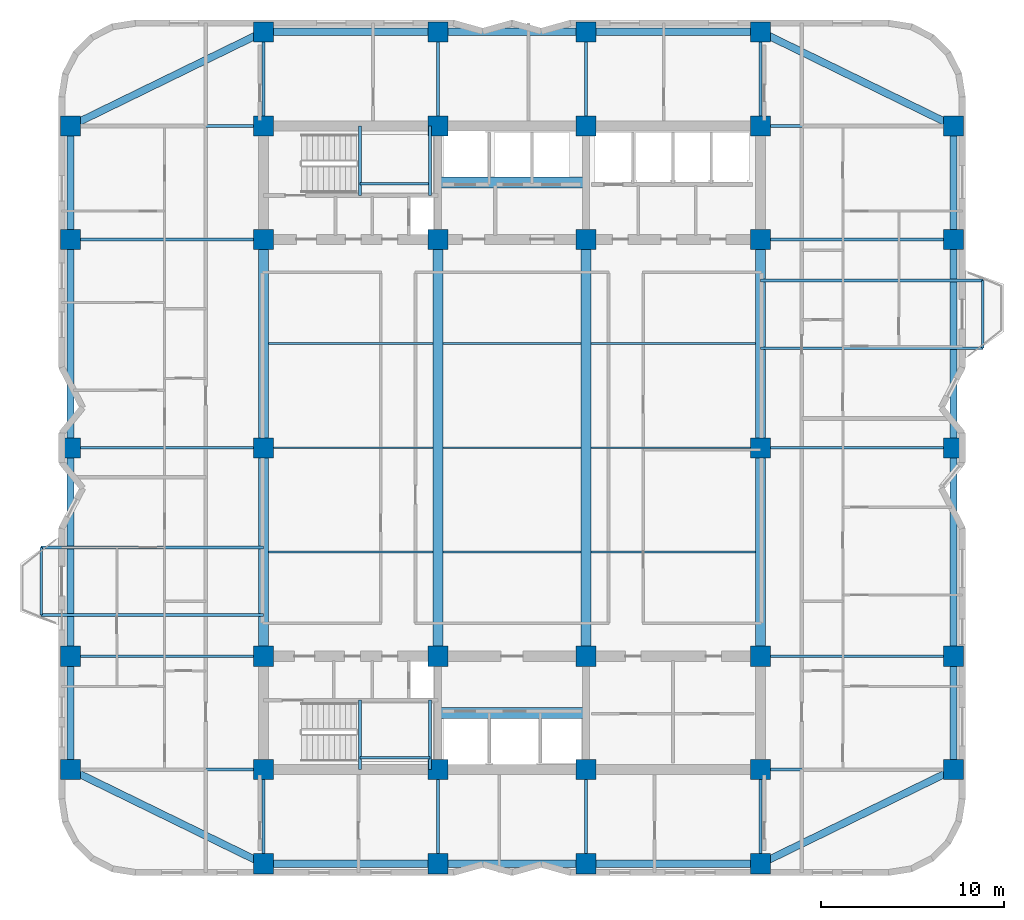
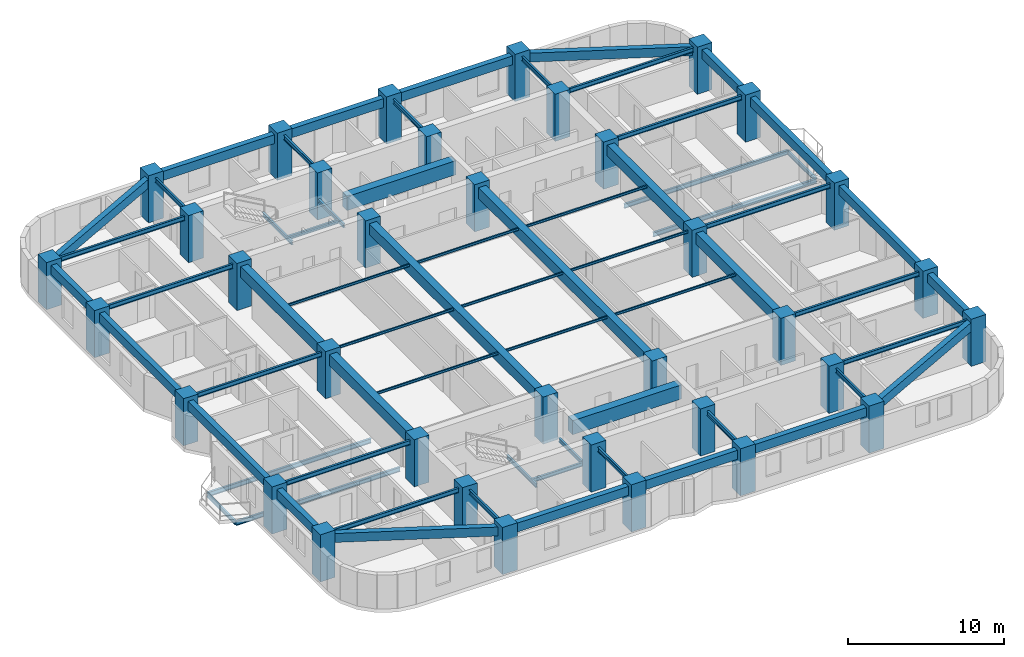
# One storey, part 1 of 10: 65 beams, 36 columns.
"""IFC4 building model written with IfcOpenShell, lengths in metres."""

from ifc_helpers import new_model, si_unit, direction, frame, origin, origin_2d, place, context, subcontext, project, spatial, rectangle, i_section, extrude, material, material_profile, profile_set, type_object, element, save


model = new_model("IFC4")

# Units and contexts
model_context = context("Model", 3, precision=1e-05, world=origin(), true_north=direction((0.0, 1.0)))
body_context = subcontext(model_context, "Body", "Model", "MODEL_VIEW")
ifc_project = project(units=[si_unit("LENGTHUNIT", "METRE"), si_unit("AREAUNIT", "SQUARE_METRE"), si_unit("VOLUMEUNIT", "CUBIC_METRE"), si_unit("PLANEANGLEUNIT", "RADIAN"), si_unit("MASSUNIT", "GRAM", prefix="KILO")], contexts=[model_context])

# Site, building, storey
site_placement = place(None, origin())
site = spatial("IfcSite", under=ifc_project, at=site_placement, CompositionType="ELEMENT")
building_placement = place(site_placement, origin())
building = spatial("IfcBuilding", under=site, at=building_placement, Name="Svetorya Sky Lyceum", CompositionType="ELEMENT")
storey_placement = place(building_placement, frame((0.0, 0.0, 132.699951171875)))
storey = spatial("IfcBuildingStorey", under=building, at=storey_placement, Name="L33", CompositionType="ELEMENT", Elevation=132.699951171875)

# Columns
ifc_material_1 = material(Name="Concrete C50/60", Category="concrete")
ifc_material_profile_1 = material_profile(ifc_material_1, rectangle(XDim=1.10009765625, YDim=1.10009765625, at=origin_2d()), Name="RC COL 1100x1100")
ifc_profile_set_1 = profile_set([ifc_material_profile_1], Name="Concrete C50/60")
column_type = type_object("IfcColumnType", Name="COL-RC-1100", PredefinedType="COLUMN", material=ifc_profile_set_1)
for number, where, z_axis, x_axis, name in (
    (1, (25.60009765625, 10.60009765625, 0.0), (0.0, 0.0, 1.0), (1.0, 0.0, 0.0), "L33 Core Column CS-11"),
    (2, (25.60009765625, 16.800048828125, 0.0), (0.0, 0.0, 1.0), (1.0, 0.0, 0.0), "L33 Core Column CS-12"),
    (3, (35.14990234375, 10.60009765625, 0.0), (0.0, 0.0, 1.0), (1.0, 0.0, 0.0), "L33 Core Column CS-21"),
    (4, (35.14990234375, 16.800048828125, 0.0), (0.0, 0.0, 1.0), (1.0, 0.0, 0.0), "L33 Core Column CS-22"),
    (5, (43.25, 10.60009765625, 0.0), (0.0, 0.0, 1.0), (1.0, 0.0, 0.0), "L33 Core Column CS-31"),
    (6, (43.25, 16.800048828125, 0.0), (0.0, 0.0, 1.0), (1.0, 0.0, 0.0), "L33 Core Column CS-32"),
    (7, (52.800048828125, 10.60009765625, 0.0), (0.0, 0.0, 1.0), (1.0, 0.0, 0.0), "L33 Core Column CS-41"),
    (8, (52.800048828125, 16.800048828125, 0.0), (0.0, 0.0, 1.0), (1.0, 0.0, 0.0), "L33 Core Column CS-42"),
    (9, (25.60009765625, 39.60009765625, 0.0), (0.0, 0.0, 1.0), (1.0, 0.0, 0.0), "L33 Core Column CN-11"),
    (10, (25.60009765625, 45.800048828125, 0.0), (0.0, 0.0, 1.0), (1.0, 0.0, 0.0), "L33 Core Column CN-12"),
    (11, (35.14990234375, 39.60009765625, 0.0), (0.0, 0.0, 1.0), (1.0, 0.0, 0.0), "L33 Core Column CN-21"),
    (12, (35.14990234375, 45.800048828125, 0.0), (0.0, 0.0, 1.0), (1.0, 0.0, 0.0), "L33 Core Column CN-22"),
    (13, (43.25, 39.60009765625, 0.0), (0.0, 0.0, 1.0), (1.0, 0.0, 0.0), "L33 Core Column CN-31"),
    (14, (43.25, 45.800048828125, 0.0), (0.0, 0.0, 1.0), (1.0, 0.0, 0.0), "L33 Core Column CN-32"),
    (15, (52.800048828125, 39.60009765625, 0.0), (0.0, 0.0, 1.0), (1.0, 0.0, 0.0), "L33 Core Column CN-41"),
    (16, (52.800048828125, 45.800048828125, 0.0), (0.0, 0.0, 1.0), (1.0, 0.0, 0.0), "L33 Core Column CN-42"),
    (17, (25.60009765625, 28.199951171875, 0.0), (0.0, 0.0, 1.0), (1.0, 0.0, 0.0), "L33 Core Column CM-W"),
    (18, (52.800048828125, 28.199951171875, 0.0), (0.0, 0.0, 1.0), (1.0, 0.0, 0.0), "L33 Core Column CM-E"),
    (19, (25.60009765625, 5.449951171875, 0.0), (0.0, 0.0, 1.0), (1.0, 0.0, 0.0), "L33 Perimeter Column S1"),
    (20, (25.60009765625, 50.949951171875, 0.0), (0.0, 0.0, 1.0), (1.0, 0.0, 0.0), "L33 Perimeter Column N1"),
    (21, (35.14990234375, 5.449951171875, 0.0), (0.0, 0.0, 1.0), (1.0, 0.0, 0.0), "L33 Perimeter Column S2"),
    (22, (35.14990234375, 50.949951171875, 0.0), (0.0, 0.0, 1.0), (1.0, 0.0, 0.0), "L33 Perimeter Column N2"),
    (23, (43.25, 5.449951171875, 0.0), (0.0, 0.0, 1.0), (1.0, 0.0, 0.0), "L33 Perimeter Column S3"),
    (24, (43.25, 50.949951171875, 0.0), (0.0, 0.0, 1.0), (1.0, 0.0, 0.0), "L33 Perimeter Column N3"),
    (25, (52.800048828125, 5.449951171875, 0.0), (0.0, 0.0, 1.0), (1.0, 0.0, 0.0), "L33 Perimeter Column S4"),
    (26, (52.800048828125, 50.949951171875, 0.0), (0.0, 0.0, 1.0), (1.0, 0.0, 0.0), "L33 Perimeter Column N4"),
    (27, (15.050048828125, 10.60009765625, 0.0), (0.0, 0.0, 1.0), (1.0, 0.0, 0.0), "L33 Perimeter Column W1"),
    (28, (63.35009765625, 10.60009765625, 0.0), (0.0, 0.0, 1.0), (1.0, 0.0, 0.0), "L33 Perimeter Column E1"),
    (29, (15.050048828125, 16.800048828125, 0.0), (0.0, 0.0, 1.0), (1.0, 0.0, 0.0), "L33 Perimeter Column W2"),
    (30, (63.35009765625, 16.800048828125, 0.0), (0.0, 0.0, 1.0), (1.0, 0.0, 0.0), "L33 Perimeter Column E2"),
    (31, (15.050048828125, 28.199951171875, 0.0), (0.0, 0.0, 1.0), (1.0, 0.0, 0.0), "L33 Perimeter Column W3"),
    (32, (63.35009765625, 28.199951171875, 0.0), (0.0, 0.0, 1.0), (1.0, 0.0, 0.0), "L33 Perimeter Column E3"),
    (33, (15.050048828125, 39.60009765625, 0.0), (0.0, 0.0, 1.0), (1.0, 0.0, 0.0), "L33 Perimeter Column W4"),
    (34, (63.35009765625, 39.60009765625, 0.0), (0.0, 0.0, 1.0), (1.0, 0.0, 0.0), "L33 Perimeter Column E4"),
    (35, (15.050048828125, 45.800048828125, 0.0), (0.0, 0.0, 1.0), (1.0, 0.0, 0.0), "L33 Perimeter Column W5"),
    (36, (63.35009765625, 45.800048828125, 0.0), (0.0, 0.0, 1.0), (1.0, 0.0, 0.0), "L33 Perimeter Column E5"),
):
    element("IfcColumn", number, at=place(storey_placement, frame(where, z_axis=z_axis, x_axis=x_axis)), inside=storey, type_object=column_type, Name=name, PredefinedType="COLUMN", context=body_context, shape_type="SweptSolid", body=[
        extrude(rectangle(XDim=1.10009765625, YDim=1.10009765625, at=origin_2d()), origin(), (0.0, 0.0, 1.0), 3.699951171875),
    ])

# Beams
ifc_material_2 = material(Name="Concrete C60/75", Category="concrete")
ifc_material_profile_2 = material_profile(ifc_material_2, rectangle(XDim=0.60009765625, YDim=1.10009765625, at=origin_2d()), Name="RC COUPLING 600x1100")
ifc_profile_set_2 = profile_set([ifc_material_profile_2], Name="Concrete C60/75")
beam_type_1 = type_object("IfcBeamType", Name="BM-CPL-1100", PredefinedType="LINTEL", material=ifc_profile_set_2)
for number, where, z_axis, x_axis, name in (
    (37, (35.14990234375, 13.699951171875, 2.830078125), (1.0, 0.0, 0.0), (0.0, 1.0, 0.0), "L33 SC Core Coupling Beam"),
    (38, (35.14990234375, 42.699951171875, 2.830078125), (1.0, 0.0, 0.0), (0.0, 1.0, 0.0), "L33 NC Core Coupling Beam"),
):
    element("IfcBeam", number, at=place(storey_placement, frame(where, z_axis=z_axis, x_axis=x_axis)), inside=storey, type_object=beam_type_1, Name=name, PredefinedType="LINTEL", context=body_context, shape_type="SweptSolid", body=[
        extrude(rectangle(XDim=0.60009765625, YDim=1.10009765625, at=origin_2d()), origin(), (0.0, 0.0, 1.0), 8.10009765625),
    ])
ifc_material_profile_3 = material_profile(ifc_material_1, rectangle(XDim=0.550048828125, YDim=0.85009765625, at=origin_2d()), Name="RC BEAM 550x850")
ifc_profile_set_3 = profile_set([ifc_material_profile_3], Name="Concrete C50/60")
beam_type_2 = type_object("IfcBeamType", Name="BM-RC-850", PredefinedType="BEAM", material=ifc_profile_set_3)
beam_1_placement = place(storey_placement, frame((25.60009765625, 16.800048828125, 2.955078125), z_axis=(0.0, 1.0, 0.0), x_axis=(-1.0, 0.0, 0.0)))
element("IfcBeam", 39, at=beam_1_placement, inside=storey, type_object=beam_type_2, Name="L33 Central Bay Primary Girder CG-1A", PredefinedType="BEAM", context=body_context, shape_type="SweptSolid", body=[
    extrude(rectangle(XDim=0.550048828125, YDim=0.85009765625, at=origin_2d()), origin(), (0.0, 0.0, 1.0), 11.39990234375),
])
beam_2_placement = place(storey_placement, frame((25.60009765625, 28.199951171875, 2.955078125), z_axis=(0.0, 1.0, 0.0), x_axis=(-1.0, 0.0, 0.0)))
element("IfcBeam", 40, at=beam_2_placement, inside=storey, type_object=beam_type_2, Name="L33 Central Bay Primary Girder CG-1B", PredefinedType="BEAM", context=body_context, shape_type="SweptSolid", body=[
    extrude(rectangle(XDim=0.550048828125, YDim=0.85009765625, at=origin_2d()), origin(), (0.0, 0.0, 1.0), 11.400146484375),
])
for number, where, z_axis, x_axis, name in (
    (41, (35.14990234375, 16.800048828125, 2.955078125), (0.0, 1.0, 0.0), (-1.0, 0.0, 0.0), "L33 Central Bay Primary Girder CG-2"),
    (42, (43.25, 16.800048828125, 2.955078125), (0.0, 1.0, 0.0), (-1.0, 0.0, 0.0), "L33 Central Bay Primary Girder CG-3"),
):
    element("IfcBeam", number, at=place(storey_placement, frame(where, z_axis=z_axis, x_axis=x_axis)), inside=storey, type_object=beam_type_2, Name=name, PredefinedType="BEAM", context=body_context, shape_type="SweptSolid", body=[
        extrude(rectangle(XDim=0.550048828125, YDim=0.85009765625, at=origin_2d()), origin(), (0.0, 0.0, 1.0), 22.800048828125),
    ])
beam_3_placement = place(storey_placement, frame((52.800048828125, 16.800048828125, 2.955078125), z_axis=(0.0, 1.0, 0.0), x_axis=(-1.0, 0.0, 0.0)))
element("IfcBeam", 43, at=beam_3_placement, inside=storey, type_object=beam_type_2, Name="L33 Central Bay Primary Girder CG-4A", PredefinedType="BEAM", context=body_context, shape_type="SweptSolid", body=[
    extrude(rectangle(XDim=0.550048828125, YDim=0.85009765625, at=origin_2d()), origin(), (0.0, 0.0, 1.0), 11.39990234375),
])
beam_4_placement = place(storey_placement, frame((52.800048828125, 28.199951171875, 2.955078125), z_axis=(0.0, 1.0, 0.0), x_axis=(-1.0, 0.0, 0.0)))
element("IfcBeam", 44, at=beam_4_placement, inside=storey, type_object=beam_type_2, Name="L33 Central Bay Primary Girder CG-4B", PredefinedType="BEAM", context=body_context, shape_type="SweptSolid", body=[
    extrude(rectangle(XDim=0.550048828125, YDim=0.85009765625, at=origin_2d()), origin(), (0.0, 0.0, 1.0), 11.400146484375),
])
ifc_material_profile_4 = material_profile(ifc_material_1, rectangle(XDim=0.39990234375, YDim=0.699951171875, at=origin_2d()), Name="RC SPANDREL 400x700")
ifc_profile_set_4 = profile_set([ifc_material_profile_4], Name="Concrete C50/60")
beam_type_3 = type_object("IfcBeamType", Name="BM-SPN-700", PredefinedType="SPANDREL", material=ifc_profile_set_4)
beam_5_placement = place(storey_placement, frame((25.60009765625, 5.449951171875, 3.030029296875), z_axis=(1.0, 0.0, 0.0), x_axis=(0.0, 1.0, 0.0)))
element("IfcBeam", 45, at=beam_5_placement, inside=storey, type_object=beam_type_3, Name="L33 South Spandrel 1", PredefinedType="SPANDREL", context=body_context, shape_type="SweptSolid", body=[
    extrude(rectangle(XDim=0.39990234375, YDim=0.699951171875, at=origin_2d()), origin(), (0.0, 0.0, 1.0), 9.5498046875),
])
beam_6_placement = place(storey_placement, frame((35.14990234375, 5.449951171875, 3.030029296875), z_axis=(1.0, 0.0, 0.0), x_axis=(0.0, 1.0, 0.0)))
element("IfcBeam", 46, at=beam_6_placement, inside=storey, type_object=beam_type_3, Name="L33 South Spandrel 2", PredefinedType="SPANDREL", context=body_context, shape_type="SweptSolid", body=[
    extrude(rectangle(XDim=0.39990234375, YDim=0.699951171875, at=origin_2d()), origin(), (0.0, 0.0, 1.0), 8.10009765625),
])
beam_7_placement = place(storey_placement, frame((43.25, 5.449951171875, 3.030029296875), z_axis=(1.0, 0.0, 0.0), x_axis=(0.0, 1.0, 0.0)))
element("IfcBeam", 47, at=beam_7_placement, inside=storey, type_object=beam_type_3, Name="L33 South Spandrel 3", PredefinedType="SPANDREL", context=body_context, shape_type="SweptSolid", body=[
    extrude(rectangle(XDim=0.39990234375, YDim=0.699951171875, at=origin_2d()), origin(), (0.0, 0.0, 1.0), 9.550048828125),
])
beam_8_placement = place(storey_placement, frame((25.60009765625, 50.949951171875, 3.030029296875), z_axis=(1.0, 0.0, 0.0), x_axis=(0.0, 1.0, 0.0)))
element("IfcBeam", 48, at=beam_8_placement, inside=storey, type_object=beam_type_3, Name="L33 North Spandrel 1", PredefinedType="SPANDREL", context=body_context, shape_type="SweptSolid", body=[
    extrude(rectangle(XDim=0.39990234375, YDim=0.699951171875, at=origin_2d()), origin(), (0.0, 0.0, 1.0), 9.5498046875),
])
beam_9_placement = place(storey_placement, frame((35.14990234375, 50.949951171875, 3.030029296875), z_axis=(1.0, 0.0, 0.0), x_axis=(0.0, 1.0, 0.0)))
element("IfcBeam", 49, at=beam_9_placement, inside=storey, type_object=beam_type_3, Name="L33 North Spandrel 2", PredefinedType="SPANDREL", context=body_context, shape_type="SweptSolid", body=[
    extrude(rectangle(XDim=0.39990234375, YDim=0.699951171875, at=origin_2d()), origin(), (0.0, 0.0, 1.0), 8.10009765625),
])
beam_10_placement = place(storey_placement, frame((43.25, 50.949951171875, 3.030029296875), z_axis=(1.0, 0.0, 0.0), x_axis=(0.0, 1.0, 0.0)))
element("IfcBeam", 50, at=beam_10_placement, inside=storey, type_object=beam_type_3, Name="L33 North Spandrel 3", PredefinedType="SPANDREL", context=body_context, shape_type="SweptSolid", body=[
    extrude(rectangle(XDim=0.39990234375, YDim=0.699951171875, at=origin_2d()), origin(), (0.0, 0.0, 1.0), 9.550048828125),
])
for number, where, z_axis, x_axis, name in (
    (51, (25.60009765625, 5.449951171875, 3.030029296875), (-0.898641495694, 0.438683783854, 0.0), (-0.438683783854, -0.898641495694, 0.0), "L33 Corner Spandrel 1"),
    (52, (52.800048828125, 5.449951171875, 3.030029296875), (0.898641495694, 0.438683783854, 0.0), (-0.438683783854, 0.898641495694, 0.0), "L33 Corner Spandrel 2"),
    (53, (63.35009765625, 45.800048828125, 3.030029296875), (-0.898649693653, 0.438666989978, 0.0), (-0.438666989978, -0.898649693653, 0.0), "L33 Corner Spandrel 3"),
    (54, (15.050048828125, 45.800048828125, 3.030029296875), (0.898649693653, 0.438666989978, 0.0), (-0.438666989978, 0.898649693653, 0.0), "L33 Corner Spandrel 4"),
):
    element("IfcBeam", number, at=place(storey_placement, frame(where, z_axis=z_axis, x_axis=x_axis)), inside=storey, type_object=beam_type_3, Name=name, PredefinedType="SPANDREL", context=body_context, shape_type="SweptSolid", body=[
        extrude(rectangle(XDim=0.39990234375, YDim=0.699951171875, at=origin_2d()), origin(), (0.0, 0.0, 1.0), 11.739990234375),
    ])
beam_11_placement = place(storey_placement, frame((15.050048828125, 10.60009765625, 3.030029296875), z_axis=(0.0, 1.0, 0.0), x_axis=(-1.0, 0.0, 0.0)))
element("IfcBeam", 55, at=beam_11_placement, inside=storey, type_object=beam_type_3, Name="L33 West Spandrel 1", PredefinedType="SPANDREL", context=body_context, shape_type="SweptSolid", body=[
    extrude(rectangle(XDim=0.39990234375, YDim=0.699951171875, at=origin_2d()), origin(), (0.0, 0.0, 1.0), 6.199951171875),
])
beam_12_placement = place(storey_placement, frame((15.050048828125, 16.800048828125, 3.030029296875), z_axis=(0.0, 1.0, 0.0), x_axis=(-1.0, 0.0, 0.0)))
element("IfcBeam", 56, at=beam_12_placement, inside=storey, type_object=beam_type_3, Name="L33 West Spandrel 2", PredefinedType="SPANDREL", context=body_context, shape_type="SweptSolid", body=[
    extrude(rectangle(XDim=0.39990234375, YDim=0.699951171875, at=origin_2d()), origin(), (0.0, 0.0, 1.0), 11.39990234375),
])
beam_13_placement = place(storey_placement, frame((15.050048828125, 28.199951171875, 3.030029296875), z_axis=(0.0, 1.0, 0.0), x_axis=(-1.0, 0.0, 0.0)))
element("IfcBeam", 57, at=beam_13_placement, inside=storey, type_object=beam_type_3, Name="L33 West Spandrel 3", PredefinedType="SPANDREL", context=body_context, shape_type="SweptSolid", body=[
    extrude(rectangle(XDim=0.39990234375, YDim=0.699951171875, at=origin_2d()), origin(), (0.0, 0.0, 1.0), 11.400146484375),
])
for number, where, z_axis, x_axis, name in (
    (58, (15.050048828125, 39.60009765625, 3.030029296875), (0.0, 1.0, 0.0), (-1.0, 0.0, 0.0), "L33 West Spandrel 4"),
    (59, (63.35009765625, 10.60009765625, 3.030029296875), (0.0, 1.0, 0.0), (-1.0, 0.0, 0.0), "L33 East Spandrel 1"),
):
    element("IfcBeam", number, at=place(storey_placement, frame(where, z_axis=z_axis, x_axis=x_axis)), inside=storey, type_object=beam_type_3, Name=name, PredefinedType="SPANDREL", context=body_context, shape_type="SweptSolid", body=[
        extrude(rectangle(XDim=0.39990234375, YDim=0.699951171875, at=origin_2d()), origin(), (0.0, 0.0, 1.0), 6.199951171875),
    ])
beam_14_placement = place(storey_placement, frame((63.35009765625, 16.800048828125, 3.030029296875), z_axis=(0.0, 1.0, 0.0), x_axis=(-1.0, 0.0, 0.0)))
element("IfcBeam", 60, at=beam_14_placement, inside=storey, type_object=beam_type_3, Name="L33 East Spandrel 2", PredefinedType="SPANDREL", context=body_context, shape_type="SweptSolid", body=[
    extrude(rectangle(XDim=0.39990234375, YDim=0.699951171875, at=origin_2d()), origin(), (0.0, 0.0, 1.0), 11.39990234375),
])
beam_15_placement = place(storey_placement, frame((63.35009765625, 28.199951171875, 3.030029296875), z_axis=(0.0, 1.0, 0.0), x_axis=(-1.0, 0.0, 0.0)))
element("IfcBeam", 61, at=beam_15_placement, inside=storey, type_object=beam_type_3, Name="L33 East Spandrel 3", PredefinedType="SPANDREL", context=body_context, shape_type="SweptSolid", body=[
    extrude(rectangle(XDim=0.39990234375, YDim=0.699951171875, at=origin_2d()), origin(), (0.0, 0.0, 1.0), 11.400146484375),
])
beam_16_placement = place(storey_placement, frame((63.35009765625, 39.60009765625, 3.030029296875), z_axis=(0.0, 1.0, 0.0), x_axis=(-1.0, 0.0, 0.0)))
element("IfcBeam", 62, at=beam_16_placement, inside=storey, type_object=beam_type_3, Name="L33 East Spandrel 4", PredefinedType="SPANDREL", context=body_context, shape_type="SweptSolid", body=[
    extrude(rectangle(XDim=0.39990234375, YDim=0.699951171875, at=origin_2d()), origin(), (0.0, 0.0, 1.0), 6.199951171875),
])
ifc_material_3 = material(Name="Steel S355", Category="steel")
ifc_material_profile_5 = material_profile(ifc_material_3, i_section(OverallWidth=0.10009765625, OverallDepth=0.199951171875, WebThickness=0.005615234375, FlangeThickness=0.008544921875, at=origin_2d()), Name="GOST 20B1")
ifc_profile_set_5 = profile_set([ifc_material_profile_5], Name="Steel S355")
beam_type_4 = type_object("IfcBeamType", Name="BM-STL-20B1", PredefinedType="JOIST", material=ifc_profile_set_5)
beam_17_placement = place(storey_placement, frame((25.875, 22.5, 3.280029296875), z_axis=(1.0, 0.0, 0.0), x_axis=(0.0, 1.0, 0.0)))
element("IfcBeam", 63, at=beam_17_placement, inside=storey, type_object=beam_type_4, Name="L33 Central Floor Joist CJ-1.1", PredefinedType="JOIST", context=body_context, shape_type="SweptSolid", body=[
    extrude(i_section(OverallWidth=0.10009765625, OverallDepth=0.199951171875, WebThickness=0.005615234375, FlangeThickness=0.008544921875, at=origin_2d()), origin(), (0.0, 0.0, 1.0), 9.0),
])
beam_18_placement = place(storey_placement, frame((35.425048828125, 22.5, 3.280029296875), z_axis=(1.0, 0.0, 0.0), x_axis=(0.0, 1.0, 0.0)))
element("IfcBeam", 64, at=beam_18_placement, inside=storey, type_object=beam_type_4, Name="L33 Central Floor Joist CJ-1.2", PredefinedType="JOIST", context=body_context, shape_type="SweptSolid", body=[
    extrude(i_section(OverallWidth=0.10009765625, OverallDepth=0.199951171875, WebThickness=0.005615234375, FlangeThickness=0.008544921875, at=origin_2d()), origin(), (0.0, 0.0, 1.0), 7.550048828125),
])
for number, where, z_axis, x_axis, name in (
    (65, (43.52490234375, 22.5, 3.280029296875), (1.0, 0.0, 0.0), (0.0, 1.0, 0.0), "L33 Central Floor Joist CJ-1.3"),
    (66, (25.875, 28.199951171875, 3.280029296875), (1.0, 0.0, 0.0), (0.0, 1.0, 0.0), "L33 Central Floor Joist CJ-2.1"),
):
    element("IfcBeam", number, at=place(storey_placement, frame(where, z_axis=z_axis, x_axis=x_axis)), inside=storey, type_object=beam_type_4, Name=name, PredefinedType="JOIST", context=body_context, shape_type="SweptSolid", body=[
        extrude(i_section(OverallWidth=0.10009765625, OverallDepth=0.199951171875, WebThickness=0.005615234375, FlangeThickness=0.008544921875, at=origin_2d()), origin(), (0.0, 0.0, 1.0), 9.0),
    ])
beam_19_placement = place(storey_placement, frame((35.425048828125, 28.199951171875, 3.280029296875), z_axis=(1.0, 0.0, 0.0), x_axis=(0.0, 1.0, 0.0)))
element("IfcBeam", 67, at=beam_19_placement, inside=storey, type_object=beam_type_4, Name="L33 Central Floor Joist CJ-2.2", PredefinedType="JOIST", context=body_context, shape_type="SweptSolid", body=[
    extrude(i_section(OverallWidth=0.10009765625, OverallDepth=0.199951171875, WebThickness=0.005615234375, FlangeThickness=0.008544921875, at=origin_2d()), origin(), (0.0, 0.0, 1.0), 7.550048828125),
])
for number, where, z_axis, x_axis, name in (
    (68, (43.52490234375, 28.199951171875, 3.280029296875), (1.0, 0.0, 0.0), (0.0, 1.0, 0.0), "L33 Central Floor Joist CJ-2.3"),
    (69, (25.875, 33.89990234375, 3.280029296875), (1.0, 0.0, 0.0), (0.0, 1.0, 0.0), "L33 Central Floor Joist CJ-3.1"),
):
    element("IfcBeam", number, at=place(storey_placement, frame(where, z_axis=z_axis, x_axis=x_axis)), inside=storey, type_object=beam_type_4, Name=name, PredefinedType="JOIST", context=body_context, shape_type="SweptSolid", body=[
        extrude(i_section(OverallWidth=0.10009765625, OverallDepth=0.199951171875, WebThickness=0.005615234375, FlangeThickness=0.008544921875, at=origin_2d()), origin(), (0.0, 0.0, 1.0), 9.0),
    ])
beam_20_placement = place(storey_placement, frame((35.425048828125, 33.89990234375, 3.280029296875), z_axis=(1.0, 0.0, 0.0), x_axis=(0.0, 1.0, 0.0)))
element("IfcBeam", 70, at=beam_20_placement, inside=storey, type_object=beam_type_4, Name="L33 Central Floor Joist CJ-3.2", PredefinedType="JOIST", context=body_context, shape_type="SweptSolid", body=[
    extrude(i_section(OverallWidth=0.10009765625, OverallDepth=0.199951171875, WebThickness=0.005615234375, FlangeThickness=0.008544921875, at=origin_2d()), origin(), (0.0, 0.0, 1.0), 7.550048828125),
])
beam_21_placement = place(storey_placement, frame((43.52490234375, 33.89990234375, 3.280029296875), z_axis=(1.0, 0.0, 0.0), x_axis=(0.0, 1.0, 0.0)))
element("IfcBeam", 71, at=beam_21_placement, inside=storey, type_object=beam_type_4, Name="L33 Central Floor Joist CJ-3.3", PredefinedType="JOIST", context=body_context, shape_type="SweptSolid", body=[
    extrude(i_section(OverallWidth=0.10009765625, OverallDepth=0.199951171875, WebThickness=0.005615234375, FlangeThickness=0.008544921875, at=origin_2d()), origin(), (0.0, 0.0, 1.0), 9.0),
])
ifc_material_profile_6 = material_profile(ifc_material_3, i_section(OverallWidth=0.14990234375, OverallDepth=0.299072265625, WebThickness=0.006591796875, FlangeThickness=0.010498046875, at=origin_2d()), Name="GOST 30B2")
ifc_profile_set_6 = profile_set([ifc_material_profile_6], Name="Steel S355")
beam_type_5 = type_object("IfcBeamType", Name="BM-STL-30B2", PredefinedType="JOIST", material=ifc_profile_set_6)
beam_22_placement = place(storey_placement, frame((13.449951171875, 19.050048828125, -0.454345703125), z_axis=(0.0, 1.0, 0.0), x_axis=(-1.0, 0.0, 0.0)))
element("IfcBeam", 72, at=beam_22_placement, inside=storey, type_object=beam_type_5, Name="L33 Balcony Edge Tie BAL-W1", PredefinedType="JOIST", context=body_context, shape_type="SweptSolid", body=[
    extrude(i_section(OverallWidth=0.14990234375, OverallDepth=0.299072265625, WebThickness=0.006591796875, FlangeThickness=0.010498046875, at=origin_2d()), origin(), (0.0, 0.0, 1.0), 3.699951171875),
])
beam_23_placement = place(storey_placement, frame((64.949951171875, 33.64990234375, -0.454345703125), z_axis=(0.0, 1.0, 0.0), x_axis=(-1.0, 0.0, 0.0)))
element("IfcBeam", 73, at=beam_23_placement, inside=storey, type_object=beam_type_5, Name="L33 Balcony Edge Tie BAL-E1", PredefinedType="JOIST", context=body_context, shape_type="SweptSolid", body=[
    extrude(i_section(OverallWidth=0.14990234375, OverallDepth=0.299072265625, WebThickness=0.006591796875, FlangeThickness=0.010498046875, at=origin_2d()), origin(), (0.0, 0.0, 1.0), 3.7001953125),
])
for number, where, z_axis, x_axis, name in (
    (74, (30.8798828125, 10.60009765625, 1.50048828125), (0.0, 1.0, 0.0), (-1.0, 0.0, 0.0), "L33 Stair ST-S Half-Landing Support Beam 37.1"),
    (75, (34.719970703125, 10.60009765625, 1.50048828125), (0.0, 1.0, 0.0), (-1.0, 0.0, 0.0), "L33 Stair ST-S Half-Landing Support Beam 37.2"),
):
    element("IfcBeam", number, at=place(storey_placement, frame(where, z_axis=z_axis, x_axis=x_axis)), inside=storey, type_object=beam_type_5, Name=name, PredefinedType="JOIST", context=body_context, shape_type="SweptSolid", body=[
        extrude(i_section(OverallWidth=0.14990234375, OverallDepth=0.299072265625, WebThickness=0.006591796875, FlangeThickness=0.010498046875, at=origin_2d()), origin(), (0.0, 0.0, 1.0), 3.7998046875),
    ])
beam_24_placement = place(storey_placement, frame((30.8798828125, 11.25, 1.50048828125), z_axis=(1.0, 0.0, 0.0), x_axis=(0.0, 1.0, 0.0)))
element("IfcBeam", 76, at=beam_24_placement, inside=storey, type_object=beam_type_5, Name="L33 Stair ST-S Half-Landing Cross Tie 37", PredefinedType="JOIST", context=body_context, shape_type="SweptSolid", body=[
    extrude(i_section(OverallWidth=0.14990234375, OverallDepth=0.299072265625, WebThickness=0.006591796875, FlangeThickness=0.010498046875, at=origin_2d()), origin(), (0.0, 0.0, 1.0), 3.840087890625),
])
for number, where, z_axis, x_axis, name in (
    (77, (30.8798828125, 42.0, 1.50048828125), (0.0, 1.0, 0.0), (-1.0, 0.0, 0.0), "L33 Stair ST-N Half-Landing Support Beam 37.1"),
    (78, (34.719970703125, 42.0, 1.50048828125), (0.0, 1.0, 0.0), (-1.0, 0.0, 0.0), "L33 Stair ST-N Half-Landing Support Beam 37.2"),
):
    element("IfcBeam", number, at=place(storey_placement, frame(where, z_axis=z_axis, x_axis=x_axis)), inside=storey, type_object=beam_type_5, Name=name, PredefinedType="JOIST", context=body_context, shape_type="SweptSolid", body=[
        extrude(i_section(OverallWidth=0.14990234375, OverallDepth=0.299072265625, WebThickness=0.006591796875, FlangeThickness=0.010498046875, at=origin_2d()), origin(), (0.0, 0.0, 1.0), 3.800048828125),
    ])
beam_25_placement = place(storey_placement, frame((30.8798828125, 42.64990234375, 1.50048828125), z_axis=(1.0, 0.0, 0.0), x_axis=(0.0, 1.0, 0.0)))
element("IfcBeam", 79, at=beam_25_placement, inside=storey, type_object=beam_type_5, Name="L33 Stair ST-N Half-Landing Cross Tie 37", PredefinedType="JOIST", context=body_context, shape_type="SweptSolid", body=[
    extrude(i_section(OverallWidth=0.14990234375, OverallDepth=0.299072265625, WebThickness=0.006591796875, FlangeThickness=0.010498046875, at=origin_2d()), origin(), (0.0, 0.0, 1.0), 3.840087890625),
])
ifc_material_profile_7 = material_profile(ifc_material_3, i_section(OverallWidth=0.155029296875, OverallDepth=0.34912109375, WebThickness=0.007080078125, FlangeThickness=0.011474609375, at=origin_2d()), Name="GOST 35B2")
ifc_profile_set_7 = profile_set([ifc_material_profile_7], Name="Steel S355")
beam_type_6 = type_object("IfcBeamType", Name="BM-STL-35B2", PredefinedType="JOIST", material=ifc_profile_set_7)
for number, where, z_axis, x_axis, name in (
    (80, (25.60009765625, 19.050048828125, -0.454345703125), (-1.0, 0.0, 0.0), (0.0, -1.0, 0.0), "L33 Balcony Cantilever Beam BAL-W1-1"),
    (81, (25.60009765625, 22.75, -0.454345703125), (-1.0, 0.0, 0.0), (0.0, -1.0, 0.0), "L33 Balcony Cantilever Beam BAL-W1-2"),
):
    element("IfcBeam", number, at=place(storey_placement, frame(where, z_axis=z_axis, x_axis=x_axis)), inside=storey, type_object=beam_type_6, Name=name, PredefinedType="JOIST", context=body_context, shape_type="SweptSolid", body=[
        extrude(i_section(OverallWidth=0.155029296875, OverallDepth=0.34912109375, WebThickness=0.007080078125, FlangeThickness=0.011474609375, at=origin_2d()), origin(), (0.0, 0.0, 1.0), 12.150146484375),
    ])
for number, where, z_axis, x_axis, name in (
    (82, (52.800048828125, 33.64990234375, -0.454345703125), (1.0, 0.0, 0.0), (0.0, 1.0, 0.0), "L33 Balcony Cantilever Beam BAL-E1-1"),
    (83, (52.800048828125, 37.35009765625, -0.454345703125), (1.0, 0.0, 0.0), (0.0, 1.0, 0.0), "L33 Balcony Cantilever Beam BAL-E1-2"),
):
    element("IfcBeam", number, at=place(storey_placement, frame(where, z_axis=z_axis, x_axis=x_axis)), inside=storey, type_object=beam_type_6, Name=name, PredefinedType="JOIST", context=body_context, shape_type="SweptSolid", body=[
        extrude(i_section(OverallWidth=0.155029296875, OverallDepth=0.34912109375, WebThickness=0.007080078125, FlangeThickness=0.011474609375, at=origin_2d()), origin(), (0.0, 0.0, 1.0), 12.14990234375),
    ])
for number, where, z_axis, x_axis, name in (
    (84, (15.050048828125, 10.60009765625, 3.20556640625), (1.0, 0.0, 0.0), (0.0, 1.0, 0.0), "L33 West Wing Floor Joist W1"),
    (85, (52.800048828125, 10.60009765625, 3.20556640625), (1.0, 0.0, 0.0), (0.0, 1.0, 0.0), "L33 East Wing Floor Joist E1"),
    (86, (15.050048828125, 16.800048828125, 3.20556640625), (1.0, 0.0, 0.0), (0.0, 1.0, 0.0), "L33 West Wing Floor Joist W2"),
    (87, (52.800048828125, 16.800048828125, 3.20556640625), (1.0, 0.0, 0.0), (0.0, 1.0, 0.0), "L33 East Wing Floor Joist E2"),
    (88, (15.050048828125, 28.199951171875, 3.20556640625), (1.0, 0.0, 0.0), (0.0, 1.0, 0.0), "L33 West Wing Floor Joist W3"),
    (89, (52.800048828125, 28.199951171875, 3.20556640625), (1.0, 0.0, 0.0), (0.0, 1.0, 0.0), "L33 East Wing Floor Joist E3"),
    (90, (15.050048828125, 39.60009765625, 3.20556640625), (1.0, 0.0, 0.0), (0.0, 1.0, 0.0), "L33 West Wing Floor Joist W4"),
    (91, (52.800048828125, 39.60009765625, 3.20556640625), (1.0, 0.0, 0.0), (0.0, 1.0, 0.0), "L33 East Wing Floor Joist E4"),
    (92, (15.050048828125, 45.800048828125, 3.20556640625), (1.0, 0.0, 0.0), (0.0, 1.0, 0.0), "L33 West Wing Floor Joist W5"),
    (93, (52.800048828125, 45.800048828125, 3.20556640625), (1.0, 0.0, 0.0), (0.0, 1.0, 0.0), "L33 East Wing Floor Joist E5"),
):
    element("IfcBeam", number, at=place(storey_placement, frame(where, z_axis=z_axis, x_axis=x_axis)), inside=storey, type_object=beam_type_6, Name=name, PredefinedType="JOIST", context=body_context, shape_type="SweptSolid", body=[
        extrude(i_section(OverallWidth=0.155029296875, OverallDepth=0.34912109375, WebThickness=0.007080078125, FlangeThickness=0.011474609375, at=origin_2d()), origin(), (0.0, 0.0, 1.0), 10.550048828125),
    ])
beam_26_placement = place(storey_placement, frame((25.60009765625, 5.449951171875, 3.20556640625), z_axis=(0.0, 1.0, 0.0), x_axis=(-1.0, 0.0, 0.0)))
element("IfcBeam", 94, at=beam_26_placement, inside=storey, type_object=beam_type_6, Name="L33 South Bay Floor Girder S1", PredefinedType="JOIST", context=body_context, shape_type="SweptSolid", body=[
    extrude(i_section(OverallWidth=0.155029296875, OverallDepth=0.34912109375, WebThickness=0.007080078125, FlangeThickness=0.011474609375, at=origin_2d()), origin(), (0.0, 0.0, 1.0), 5.150146484375),
])
beam_27_placement = place(storey_placement, frame((25.60009765625, 45.800048828125, 3.20556640625), z_axis=(0.0, 1.0, 0.0), x_axis=(-1.0, 0.0, 0.0)))
element("IfcBeam", 95, at=beam_27_placement, inside=storey, type_object=beam_type_6, Name="L33 North Bay Floor Girder N1", PredefinedType="JOIST", context=body_context, shape_type="SweptSolid", body=[
    extrude(i_section(OverallWidth=0.155029296875, OverallDepth=0.34912109375, WebThickness=0.007080078125, FlangeThickness=0.011474609375, at=origin_2d()), origin(), (0.0, 0.0, 1.0), 5.14990234375),
])
beam_28_placement = place(storey_placement, frame((35.14990234375, 5.449951171875, 3.20556640625), z_axis=(0.0, 1.0, 0.0), x_axis=(-1.0, 0.0, 0.0)))
element("IfcBeam", 96, at=beam_28_placement, inside=storey, type_object=beam_type_6, Name="L33 South Bay Floor Girder S2", PredefinedType="JOIST", context=body_context, shape_type="SweptSolid", body=[
    extrude(i_section(OverallWidth=0.155029296875, OverallDepth=0.34912109375, WebThickness=0.007080078125, FlangeThickness=0.011474609375, at=origin_2d()), origin(), (0.0, 0.0, 1.0), 5.150146484375),
])
beam_29_placement = place(storey_placement, frame((35.14990234375, 45.800048828125, 3.20556640625), z_axis=(0.0, 1.0, 0.0), x_axis=(-1.0, 0.0, 0.0)))
element("IfcBeam", 97, at=beam_29_placement, inside=storey, type_object=beam_type_6, Name="L33 North Bay Floor Girder N2", PredefinedType="JOIST", context=body_context, shape_type="SweptSolid", body=[
    extrude(i_section(OverallWidth=0.155029296875, OverallDepth=0.34912109375, WebThickness=0.007080078125, FlangeThickness=0.011474609375, at=origin_2d()), origin(), (0.0, 0.0, 1.0), 5.14990234375),
])
beam_30_placement = place(storey_placement, frame((43.25, 5.449951171875, 3.20556640625), z_axis=(0.0, 1.0, 0.0), x_axis=(-1.0, 0.0, 0.0)))
element("IfcBeam", 98, at=beam_30_placement, inside=storey, type_object=beam_type_6, Name="L33 South Bay Floor Girder S3", PredefinedType="JOIST", context=body_context, shape_type="SweptSolid", body=[
    extrude(i_section(OverallWidth=0.155029296875, OverallDepth=0.34912109375, WebThickness=0.007080078125, FlangeThickness=0.011474609375, at=origin_2d()), origin(), (0.0, 0.0, 1.0), 5.150146484375),
])
beam_31_placement = place(storey_placement, frame((43.25, 45.800048828125, 3.20556640625), z_axis=(0.0, 1.0, 0.0), x_axis=(-1.0, 0.0, 0.0)))
element("IfcBeam", 99, at=beam_31_placement, inside=storey, type_object=beam_type_6, Name="L33 North Bay Floor Girder N3", PredefinedType="JOIST", context=body_context, shape_type="SweptSolid", body=[
    extrude(i_section(OverallWidth=0.155029296875, OverallDepth=0.34912109375, WebThickness=0.007080078125, FlangeThickness=0.011474609375, at=origin_2d()), origin(), (0.0, 0.0, 1.0), 5.14990234375),
])
beam_32_placement = place(storey_placement, frame((52.800048828125, 5.449951171875, 3.20556640625), z_axis=(0.0, 1.0, 0.0), x_axis=(-1.0, 0.0, 0.0)))
element("IfcBeam", 100, at=beam_32_placement, inside=storey, type_object=beam_type_6, Name="L33 South Bay Floor Girder S4", PredefinedType="JOIST", context=body_context, shape_type="SweptSolid", body=[
    extrude(i_section(OverallWidth=0.155029296875, OverallDepth=0.34912109375, WebThickness=0.007080078125, FlangeThickness=0.011474609375, at=origin_2d()), origin(), (0.0, 0.0, 1.0), 5.150146484375),
])
beam_33_placement = place(storey_placement, frame((52.800048828125, 45.800048828125, 3.20556640625), z_axis=(0.0, 1.0, 0.0), x_axis=(-1.0, 0.0, 0.0)))
element("IfcBeam", 101, at=beam_33_placement, inside=storey, type_object=beam_type_6, Name="L33 North Bay Floor Girder N4", PredefinedType="JOIST", context=body_context, shape_type="SweptSolid", body=[
    extrude(i_section(OverallWidth=0.155029296875, OverallDepth=0.34912109375, WebThickness=0.007080078125, FlangeThickness=0.011474609375, at=origin_2d()), origin(), (0.0, 0.0, 1.0), 5.14990234375),
])

save(model, "model.ifc")
